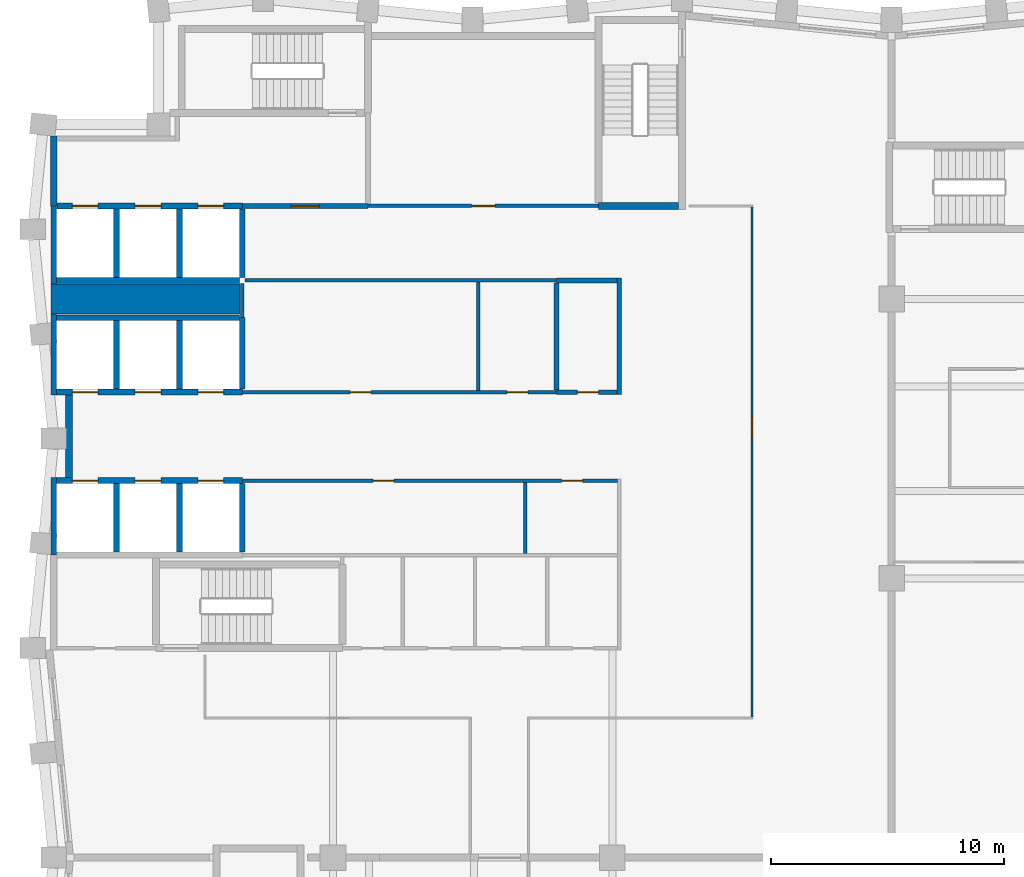
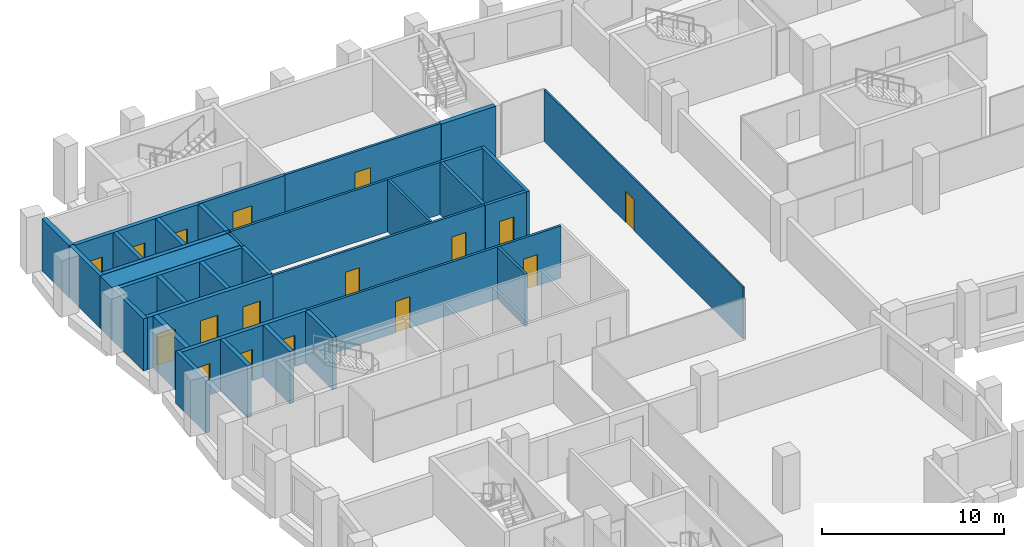
# One storey, part 5 of 10: 34 walls, 17 doors, 17 openings.
"""IFC4 building model written with IfcOpenShell, lengths in metres."""

from ifc_helpers import new_model, si_unit, direction, frame, frame_2d, origin, place, context, subcontext, project, spatial, rectangle, extrude, material, layer, layer_set, type_object, element, fill, save


model = new_model("IFC4")

# Units and contexts
model_context = context("Model", 3, precision=1e-05, world=origin(), true_north=direction((0.0, 1.0)))
body_context = subcontext(model_context, "Body", "Model", "MODEL_VIEW")
ifc_project = project(units=[si_unit("LENGTHUNIT", "METRE"), si_unit("AREAUNIT", "SQUARE_METRE"), si_unit("VOLUMEUNIT", "CUBIC_METRE"), si_unit("PLANEANGLEUNIT", "RADIAN"), si_unit("MASSUNIT", "GRAM", prefix="KILO")], contexts=[model_context])

# Site, building, storey
site_placement = place(None, origin())
site = spatial("IfcSite", under=ifc_project, at=site_placement, CompositionType="ELEMENT")
building_placement = place(site_placement, origin())
building = spatial("IfcBuilding", under=site, at=building_placement, Name="Brondeck Convention Tower", CompositionType="ELEMENT")
storey_placement = place(building_placement, frame((0.0, 0.0, 181.39990234375)))
storey = spatial("IfcBuildingStorey", under=building, at=storey_placement, Name="L44", CompositionType="ELEMENT", Elevation=181.39990234375)

# Walls
ifc_material_1 = material(Name="Concrete C70/85", Category="concrete")
ifc_layer_1 = layer(ifc_material_1, 0.199951171875)
ifc_layer_set_1 = layer_set([ifc_layer_1], Name="Core beam-seat wall 200 Concrete C70/85")
wall_type_1 = type_object("IfcWallType", Name="Core beam-seat wall 200 Concrete C70/85", PredefinedType="SHEAR", material=ifc_layer_set_1)
wall_1_placement = place(storey_placement, frame((24.300048828125, 46.89990234375, 0.0), z_axis=(0.0, 0.0, 1.0), x_axis=(0.0, 1.0, 0.0)))
element("IfcWall", 1, at=wall_1_placement, inside=storey, type_object=wall_type_1, Name="L44 core wall", PredefinedType="SHEAR", context=body_context, shape_type="SweptSolid", body=[
    extrude(rectangle(XDim=5.0, YDim=0.199951171875, at=frame_2d((2.5, 0.0))), origin(), (0.0, 0.0, 1.0), 3.5),
])
ifc_layer_2 = layer(ifc_material_1, 0.300048828125)
ifc_layer_set_2 = layer_set([ifc_layer_2], Name="Core outer wall 300 Concrete C70/85")
wall_type_2 = type_object("IfcWallType", Name="Core outer wall 300 Concrete C70/85", PredefinedType="SHEAR", material=ifc_layer_set_2)
wall_2_placement = place(storey_placement, frame((0.0, 55.0, 0.0), z_axis=(0.0, 0.0, 1.0), x_axis=(0.0, 1.0, 0.0)))
element("IfcWall", 2, at=wall_2_placement, inside=storey, type_object=wall_type_2, Name="L44 core wall", PredefinedType="SHEAR", context=body_context, shape_type="SweptSolid", body=[
    extrude(rectangle(XDim=3.0, YDim=0.300048828125, at=frame_2d((1.5, 0.0))), origin(), (0.0, 0.0, 1.0), 3.5),
])
wall_3_placement = place(storey_placement, frame((0.64990234375, 43.324951171875, 0.0), z_axis=(0.0, 0.0, 1.0), x_axis=(0.0, 1.0, 0.0)))
element("IfcWall", 3, at=wall_3_placement, inside=storey, type_object=wall_type_2, Name="L44 core wall", PredefinedType="SHEAR", context=body_context, shape_type="SweptSolid", body=[
    extrude(rectangle(XDim=3.550048828125, YDim=0.300048828125, at=frame_2d((1.77490234375, 0.0))), origin(), (0.0, 0.0, 1.0), 3.5),
])

# Wall, openings, doors
ifc_material_2 = material(Name="Fire-rated gypsum board partition")
ifc_layer_3 = layer(ifc_material_2, 0.14990234375)
ifc_layer_set_3 = layer_set([ifc_layer_3], Name="Core partition 150 EI 60")
wall_type_3 = type_object("IfcWallType", Name="Core partition 150 EI 60", PredefinedType="PARTITIONING", material=ifc_layer_set_3)
wall_4_placement = place(storey_placement, frame((8.10009765625, 43.199951171875, 0.0), z_axis=(0.0, 0.0, 1.0), x_axis=(1.0, 0.0, 0.0)))
wall_4 = element("IfcWall", 4, at=wall_4_placement, inside=storey, type_object=wall_type_3, Name="L44 core wall", PredefinedType="PARTITIONING", context=body_context, shape_type="SweptSolid", body=[
    extrude(rectangle(XDim=16.125, YDim=0.14990234375, at=frame_2d((8.0625, 0.0))), origin(), (0.0, 0.0, 1.0), 3.5),
])
opening_1_placement = place(wall_4_placement, frame((5.625, 0.0, 0.0)))
opening_1 = element("IfcOpeningElement", 5, at=opening_1_placement, cuts=wall_4, Name="Opening C24-10", PredefinedType="OPENING", context=body_context, shape_type="SweptSolid", body=[
    extrude(rectangle(XDim=0.89990234375, YDim=2.10009765625, at=frame_2d((0.449951171875, 1.050048828125))), frame((0.0, 0.0849609375, 0.0), z_axis=(0.0, -1.0, 0.0), x_axis=(1.0, 0.0, 0.0)), (0.0, 0.0, 1.0), 0.169921875),
])
opening_2_placement = place(wall_4_placement, frame((13.72509765625, 0.0, 0.0)))
opening_2 = element("IfcOpeningElement", 6, at=opening_2_placement, cuts=wall_4, Name="Opening C24-11", PredefinedType="OPENING", context=body_context, shape_type="SweptSolid", body=[
    extrude(rectangle(XDim=0.89990234375, YDim=2.10009765625, at=frame_2d((0.449951171875, 1.050048828125))), frame((0.0, 0.0849609375, 0.0), z_axis=(0.0, -1.0, 0.0), x_axis=(1.0, 0.0, 0.0)), (0.0, 0.0, 1.0), 0.169921875),
])
ifc_material_3 = material(Name="Steel fire door", Category="steel")
door_type_1 = type_object("IfcDoorType", Name="Room door 900x2100 EI 60", OperationType="NOTDEFINED", PredefinedType="DOOR", material=ifc_material_3)
door_1_placement = place(opening_1_placement, origin())
door_1 = element("IfcDoor", 7, at=door_1_placement, inside=storey, type_object=door_type_1, Name="L44 Room door FZ-S-8.1-1", OperationType="SINGLE_SWING_RIGHT", OverallHeight=2.10009765625, OverallWidth=0.89990234375, PredefinedType="DOOR", context=body_context, shape_type="SweptSolid", body=[
    extrude(rectangle(XDim=0.89990234375, YDim=2.10009765625, at=frame_2d((0.449951171875, 1.050048828125))), frame((0.0, 0.02490234375, 0.0), z_axis=(0.0, -1.0, 0.0), x_axis=(1.0, 0.0, 0.0)), (0.0, 0.0, 1.0), 0.050048828125),
])
fill(opening_1, door_1)
door_2_placement = place(opening_2_placement, origin())
door_2 = element("IfcDoor", 8, at=door_2_placement, inside=storey, type_object=door_type_1, Name="L44 Room door FZ-S-8.1-2", OperationType="SINGLE_SWING_LEFT", OverallHeight=2.10009765625, OverallWidth=0.89990234375, PredefinedType="DOOR", context=body_context, shape_type="SweptSolid", body=[
    extrude(rectangle(XDim=0.89990234375, YDim=2.10009765625, at=frame_2d((0.449951171875, 1.050048828125))), frame((0.0, 0.02490234375, 0.0), z_axis=(0.0, -1.0, 0.0), x_axis=(1.0, 0.0, 0.0)), (0.0, 0.0, 1.0), 0.050048828125),
])
fill(opening_2, door_2)

wall_5_placement = place(storey_placement, frame((8.10009765625, 47.0, 0.0), z_axis=(0.0, 0.0, 1.0), x_axis=(1.0, 0.0, 0.0)))
wall_5 = element("IfcWall", 9, at=wall_5_placement, inside=storey, type_object=wall_type_3, Name="L44 core wall", PredefinedType="PARTITIONING", context=body_context, shape_type="SweptSolid", body=[
    extrude(rectangle(XDim=13.5, YDim=0.14990234375, at=frame_2d((6.75, 0.0))), origin(), (0.0, 0.0, 1.0), 3.5),
])
opening_3_placement = place(wall_5_placement, frame((4.625, 0.0, 0.0)))
opening_3 = element("IfcOpeningElement", 10, at=opening_3_placement, cuts=wall_5, Name="Opening C24-08", PredefinedType="OPENING", context=body_context, shape_type="SweptSolid", body=[
    extrude(rectangle(XDim=0.89990234375, YDim=2.10009765625, at=frame_2d((0.449951171875, 1.050048828125))), frame((0.0, 0.0849609375, 0.0), z_axis=(0.0, -1.0, 0.0), x_axis=(1.0, 0.0, 0.0)), (0.0, 0.0, 1.0), 0.169921875),
])
opening_4_placement = place(wall_5_placement, frame((11.375, 0.0, 0.0)))
opening_4 = element("IfcOpeningElement", 11, at=opening_4_placement, cuts=wall_5, Name="Opening C24-09", PredefinedType="OPENING", context=body_context, shape_type="SweptSolid", body=[
    extrude(rectangle(XDim=0.89990234375, YDim=2.10009765625, at=frame_2d((0.449951171875, 1.050048828125))), frame((0.0, 0.0849609375, 0.0), z_axis=(0.0, -1.0, 0.0), x_axis=(1.0, 0.0, 0.0)), (0.0, 0.0, 1.0), 0.169921875),
])
door_3_placement = place(opening_3_placement, origin())
door_3 = element("IfcDoor", 12, at=door_3_placement, inside=storey, type_object=door_type_1, Name="L44 Room door FZ-N-8.1-1", OperationType="SINGLE_SWING_LEFT", OverallHeight=2.10009765625, OverallWidth=0.89990234375, PredefinedType="DOOR", context=body_context, shape_type="SweptSolid", body=[
    extrude(rectangle(XDim=0.89990234375, YDim=2.10009765625, at=frame_2d((0.449951171875, 1.050048828125))), frame((0.0, 0.02490234375, 0.0), z_axis=(0.0, -1.0, 0.0), x_axis=(1.0, 0.0, 0.0)), (0.0, 0.0, 1.0), 0.050048828125),
])
fill(opening_3, door_3)
door_4_placement = place(opening_4_placement, origin())
door_4 = element("IfcDoor", 13, at=door_4_placement, inside=storey, type_object=door_type_1, Name="L44 Room door FZ-N-8.1-2", OperationType="SINGLE_SWING_RIGHT", OverallHeight=2.10009765625, OverallWidth=0.89990234375, PredefinedType="DOOR", context=body_context, shape_type="SweptSolid", body=[
    extrude(rectangle(XDim=0.89990234375, YDim=2.10009765625, at=frame_2d((0.449951171875, 1.050048828125))), frame((0.0, 0.02490234375, 0.0), z_axis=(0.0, -1.0, 0.0), x_axis=(1.0, 0.0, 0.0)), (0.0, 0.0, 1.0), 0.050048828125),
])
fill(opening_4, door_4)

# Wall
wall_6_placement = place(storey_placement, frame((8.22509765625, 51.800048828125, 0.0), z_axis=(0.0, 0.0, 1.0), x_axis=(1.0, 0.0, 0.0)))
element("IfcWall", 14, at=wall_6_placement, inside=storey, type_object=wall_type_3, Name="L44 core wall", PredefinedType="PARTITIONING", context=body_context, shape_type="SweptSolid", body=[
    extrude(rectangle(XDim=13.375, YDim=0.14990234375, at=frame_2d((6.6875, 0.0))), origin(), (0.0, 0.0, 1.0), 3.5),
])

# Wall, opening, door
wall_7_placement = place(storey_placement, frame((13.5, 55.0, 0.0), z_axis=(0.0, 0.0, 1.0), x_axis=(1.0, 0.0, 0.0)))
wall_7 = element("IfcWall", 15, at=wall_7_placement, inside=storey, type_object=wall_type_3, Name="L44 core wall", PredefinedType="PARTITIONING", context=body_context, shape_type="SweptSolid", body=[
    extrude(rectangle(XDim=9.89990234375, YDim=0.14990234375, at=frame_2d((4.949951171875, 0.0))), origin(), (0.0, 0.0, 1.0), 3.5),
])
opening_5_placement = place(wall_7_placement, frame((4.449951171875, 0.0, 0.0)))
opening_5 = element("IfcOpeningElement", 16, at=opening_5_placement, cuts=wall_7, Name="Opening C24-12", PredefinedType="OPENING", context=body_context, shape_type="SweptSolid", body=[
    extrude(rectangle(XDim=1.0, YDim=2.10009765625, at=frame_2d((0.5, 1.050048828125))), frame((0.0, 0.0849609375, 0.0), z_axis=(0.0, -1.0, 0.0), x_axis=(1.0, 0.0, 0.0)), (0.0, 0.0, 1.0), 0.169921875),
])
door_type_2 = type_object("IfcDoorType", Name="Room door 1000x2100 EI 60", OperationType="NOTDEFINED", PredefinedType="DOOR", material=ifc_material_3)
door_5_placement = place(opening_5_placement, origin())
door_5 = element("IfcDoor", 17, at=door_5_placement, inside=storey, type_object=door_type_2, Name="L44 Room door NE-1", OperationType="SINGLE_SWING_LEFT", OverallHeight=2.10009765625, OverallWidth=1.0, PredefinedType="DOOR", context=body_context, shape_type="SweptSolid", body=[
    extrude(rectangle(XDim=1.0, YDim=2.10009765625, at=frame_2d((0.5, 1.050048828125))), frame((0.0, 0.02490234375, 0.0), z_axis=(0.0, -1.0, 0.0), x_axis=(1.0, 0.0, 0.0)), (0.0, 0.0, 1.0), 0.050048828125),
])
fill(opening_5, door_5)

# Walls
wall_8_placement = place(storey_placement, frame((8.10009765625, 50.199951171875, 0.0), z_axis=(0.0, 0.0, 1.0), x_axis=(0.0, 1.0, 0.0)))
element("IfcWall", 18, at=wall_8_placement, inside=storey, type_object=wall_type_3, Name="L44 core wall", PredefinedType="PARTITIONING", context=body_context, shape_type="SweptSolid", body=[
    extrude(rectangle(XDim=1.47509765625, YDim=0.14990234375, at=frame_2d((0.737548828125, 0.0))), origin(), (0.0, 0.0, 1.0), 3.5),
])
wall_9_placement = place(storey_placement, frame((18.25, 47.074951171875, 0.0), z_axis=(0.0, 0.0, 1.0), x_axis=(0.0, 1.0, 0.0)))
element("IfcWall", 19, at=wall_9_placement, inside=storey, type_object=wall_type_3, Name="L44 core wall", PredefinedType="PARTITIONING", context=body_context, shape_type="SweptSolid", body=[
    extrude(rectangle(XDim=4.650146484375, YDim=0.14990234375, at=frame_2d((2.3251953125, 0.0))), origin(), (0.0, 0.0, 1.0), 3.5),
])
wall_10_placement = place(storey_placement, frame((20.25, 40.074951171875, 0.0), z_axis=(0.0, 0.0, 1.0), x_axis=(0.0, 1.0, 0.0)))
element("IfcWall", 20, at=wall_10_placement, inside=storey, type_object=wall_type_3, Name="L44 core wall", PredefinedType="PARTITIONING", context=body_context, shape_type="SweptSolid", body=[
    extrude(rectangle(XDim=3.050048828125, YDim=0.14990234375, at=frame_2d((1.52490234375, 0.0))), origin(), (0.0, 0.0, 1.0), 3.5),
])
ifc_layer_4 = layer(ifc_material_1, 1.300048828125)
ifc_layer_set_4 = layer_set([ifc_layer_4], Name="Core shear wall 1300 Concrete C70/85")
wall_type_4 = type_object("IfcWallType", Name="Core shear wall 1300 Concrete C70/85", PredefinedType="SHEAR", material=ifc_layer_set_4)
wall_11_placement = place(storey_placement, frame((-0.125, 51.0, 0.0), z_axis=(0.0, 0.0, 1.0), x_axis=(1.0, 0.0, 0.0)))
element("IfcWall", 21, at=wall_11_placement, inside=storey, type_object=wall_type_4, Name="L44 core wall", PredefinedType="SHEAR", context=body_context, shape_type="SweptSolid", body=[
    extrude(rectangle(XDim=8.125, YDim=1.300048828125, at=frame_2d((4.0625, 0.0))), origin(), (0.0, 0.0, 1.0), 3.5),
])

# Wall, opening, door
ifc_layer_5 = layer(ifc_material_2, 0.199951171875)
ifc_layer_set_5 = layer_set([ifc_layer_5], Name="Firefighting lobby wall 200 EI 120")
wall_type_5 = type_object("IfcWallType", Name="Firefighting lobby wall 200 EI 120", PredefinedType="PARTITIONING", material=ifc_layer_set_5)
wall_12_placement = place(storey_placement, frame((8.10009765625, 55.0, 0.0), z_axis=(0.0, 0.0, 1.0), x_axis=(1.0, 0.0, 0.0)))
wall_12 = element("IfcWall", 22, at=wall_12_placement, inside=storey, type_object=wall_type_5, Name="L44 core wall", PredefinedType="PARTITIONING", context=body_context, shape_type="SweptSolid", body=[
    extrude(rectangle(XDim=5.39990234375, YDim=0.199951171875, at=frame_2d((2.699951171875, 0.0))), origin(), (0.0, 0.0, 1.0), 3.5),
])
opening_6_placement = place(wall_12_placement, frame((2.10009765625, 0.0, 0.0)))
opening_6 = element("IfcOpeningElement", 23, at=opening_6_placement, cuts=wall_12, Name="Opening C24-01", PredefinedType="OPENING", context=body_context, shape_type="SweptSolid", body=[
    extrude(rectangle(XDim=1.199951171875, YDim=2.199951171875, at=frame_2d((0.60009765625, 1.10009765625))), frame((0.0, 0.10986328125, 0.0), z_axis=(0.0, -1.0, 0.0), x_axis=(1.0, 0.0, 0.0)), (0.0, 0.0, 1.0), 0.219970703125),
])
door_type_3 = type_object("IfcDoorType", Name="Firefighting lobby door 1200x2200 EI 120", OperationType="NOTDEFINED", PredefinedType="DOOR", material=ifc_material_3)
door_6_placement = place(opening_6_placement, origin())
door_6 = element("IfcDoor", 24, at=door_6_placement, inside=storey, type_object=door_type_3, Name="L44 Firefighting lobby door FFL-1", OperationType="SINGLE_SWING_RIGHT", OverallHeight=2.199951171875, OverallWidth=1.199951171875, PredefinedType="DOOR", context=body_context, shape_type="SweptSolid", body=[
    extrude(rectangle(XDim=1.199951171875, YDim=2.199951171875, at=frame_2d((0.60009765625, 1.10009765625))), frame((0.0, 0.02490234375, 0.0), z_axis=(0.0, -1.0, 0.0), x_axis=(1.0, 0.0, 0.0)), (0.0, 0.0, 1.0), 0.050048828125),
])
fill(opening_6, door_6)

# Wall, openings, doors
ifc_layer_6 = layer(ifc_material_1, 0.25)
ifc_layer_set_6 = layer_set([ifc_layer_6], Name="Lift shaft wall 250 Concrete C70/85")
wall_type_6 = type_object("IfcWallType", Name="Lift shaft wall 250 Concrete C70/85", PredefinedType="SHEAR", material=ifc_layer_set_6)
wall_13_placement = place(storey_placement, frame((0.125, 43.199951171875, 0.0), z_axis=(0.0, 0.0, 1.0), x_axis=(1.0, 0.0, 0.0)))
wall_13 = element("IfcWall", 25, at=wall_13_placement, inside=storey, type_object=wall_type_6, Name="L44 core wall", PredefinedType="SHEAR", context=body_context, shape_type="SweptSolid", body=[
    extrude(rectangle(XDim=7.97509765625, YDim=0.25, at=frame_2d((3.987548828125, 0.0))), origin(), (0.0, 0.0, 1.0), 3.5),
])
opening_7_placement = place(wall_13_placement, frame((0.675048828125, 0.0, 0.0)))
opening_7 = element("IfcOpeningElement", 26, at=opening_7_placement, cuts=wall_13, Name="Opening C24-23", PredefinedType="OPENING", context=body_context, shape_type="SweptSolid", body=[
    extrude(rectangle(XDim=1.10009765625, YDim=2.10009765625, at=frame_2d((0.550048828125, 1.050048828125))), frame((0.0, 0.135009765625, 0.0), z_axis=(0.0, -1.0, 0.0), x_axis=(1.0, 0.0, 0.0)), (0.0, 0.0, 1.0), 0.27001953125),
])
opening_8_placement = place(wall_13_placement, frame((3.375, 0.0, 0.0)))
opening_8 = element("IfcOpeningElement", 27, at=opening_8_placement, cuts=wall_13, Name="Opening C24-24", PredefinedType="OPENING", context=body_context, shape_type="SweptSolid", body=[
    extrude(rectangle(XDim=1.10009765625, YDim=2.10009765625, at=frame_2d((0.550048828125, 1.050048828125))), frame((0.0, 0.135009765625, 0.0), z_axis=(0.0, -1.0, 0.0), x_axis=(1.0, 0.0, 0.0)), (0.0, 0.0, 1.0), 0.27001953125),
])
opening_9_placement = place(wall_13_placement, frame((6.074951171875, 0.0, 0.0)))
opening_9 = element("IfcOpeningElement", 28, at=opening_9_placement, cuts=wall_13, Name="Opening C24-25", PredefinedType="OPENING", context=body_context, shape_type="SweptSolid", body=[
    extrude(rectangle(XDim=1.10009765625, YDim=2.10009765625, at=frame_2d((0.550048828125, 1.050048828125))), frame((0.0, 0.135009765625, 0.0), z_axis=(0.0, -1.0, 0.0), x_axis=(1.0, 0.0, 0.0)), (0.0, 0.0, 1.0), 0.27001953125),
])
ifc_material_4 = material(Name="Stainless steel lift door", Category="steel")
door_type_4 = type_object("IfcDoorType", Name="Lift landing door 1100x2100 EI 180", OperationType="DOUBLE_DOOR_SLIDING", PredefinedType="DOOR", material=ifc_material_4)
door_7_placement = place(opening_7_placement, origin())
door_7 = element("IfcDoor", 29, at=door_7_placement, inside=storey, type_object=door_type_4, Name="L44 Lift landing door HR1", OperationType="DOUBLE_DOOR_SLIDING", OverallHeight=2.10009765625, OverallWidth=1.10009765625, PredefinedType="DOOR", context=body_context, shape_type="SweptSolid", body=[
    extrude(rectangle(XDim=1.10009765625, YDim=2.10009765625, at=frame_2d((0.550048828125, 1.050048828125))), frame((0.0, 0.02490234375, 0.0), z_axis=(0.0, -1.0, 0.0), x_axis=(1.0, 0.0, 0.0)), (0.0, 0.0, 1.0), 0.050048828125),
])
fill(opening_7, door_7)
door_8_placement = place(opening_8_placement, origin())
door_8 = element("IfcDoor", 30, at=door_8_placement, inside=storey, type_object=door_type_4, Name="L44 Lift landing door HR2", OperationType="DOUBLE_DOOR_SLIDING", OverallHeight=2.10009765625, OverallWidth=1.10009765625, PredefinedType="DOOR", context=body_context, shape_type="SweptSolid", body=[
    extrude(rectangle(XDim=1.10009765625, YDim=2.10009765625, at=frame_2d((0.550048828125, 1.050048828125))), frame((0.0, 0.02490234375, 0.0), z_axis=(0.0, -1.0, 0.0), x_axis=(1.0, 0.0, 0.0)), (0.0, 0.0, 1.0), 0.050048828125),
])
fill(opening_8, door_8)
door_9_placement = place(opening_9_placement, origin())
door_9 = element("IfcDoor", 31, at=door_9_placement, inside=storey, type_object=door_type_4, Name="L44 Lift landing door HR3", OperationType="DOUBLE_DOOR_SLIDING", OverallHeight=2.10009765625, OverallWidth=1.10009765625, PredefinedType="DOOR", context=body_context, shape_type="SweptSolid", body=[
    extrude(rectangle(XDim=1.10009765625, YDim=2.10009765625, at=frame_2d((0.550048828125, 1.050048828125))), frame((0.0, 0.02490234375, 0.0), z_axis=(0.0, -1.0, 0.0), x_axis=(1.0, 0.0, 0.0)), (0.0, 0.0, 1.0), 0.050048828125),
])
fill(opening_9, door_9)

wall_14_placement = place(storey_placement, frame((0.125, 47.0, 0.0), z_axis=(0.0, 0.0, 1.0), x_axis=(1.0, 0.0, 0.0)))
wall_14 = element("IfcWall", 32, at=wall_14_placement, inside=storey, type_object=wall_type_6, Name="L44 core wall", PredefinedType="SHEAR", context=body_context, shape_type="SweptSolid", body=[
    extrude(rectangle(XDim=7.97509765625, YDim=0.25, at=frame_2d((3.987548828125, 0.0))), origin(), (0.0, 0.0, 1.0), 3.5),
])
opening_10_placement = place(wall_14_placement, frame((0.675048828125, 0.0, 0.0)))
opening_10 = element("IfcOpeningElement", 33, at=opening_10_placement, cuts=wall_14, Name="Opening C24-26", PredefinedType="OPENING", context=body_context, shape_type="SweptSolid", body=[
    extrude(rectangle(XDim=1.10009765625, YDim=2.10009765625, at=frame_2d((0.550048828125, 1.050048828125))), frame((0.0, 0.135009765625, 0.0), z_axis=(0.0, -1.0, 0.0), x_axis=(1.0, 0.0, 0.0)), (0.0, 0.0, 1.0), 0.27001953125),
])
opening_11_placement = place(wall_14_placement, frame((3.375, 0.0, 0.0)))
opening_11 = element("IfcOpeningElement", 34, at=opening_11_placement, cuts=wall_14, Name="Opening C24-27", PredefinedType="OPENING", context=body_context, shape_type="SweptSolid", body=[
    extrude(rectangle(XDim=1.10009765625, YDim=2.10009765625, at=frame_2d((0.550048828125, 1.050048828125))), frame((0.0, 0.135009765625, 0.0), z_axis=(0.0, -1.0, 0.0), x_axis=(1.0, 0.0, 0.0)), (0.0, 0.0, 1.0), 0.27001953125),
])
opening_12_placement = place(wall_14_placement, frame((6.074951171875, 0.0, 0.0)))
opening_12 = element("IfcOpeningElement", 35, at=opening_12_placement, cuts=wall_14, Name="Opening C24-28", PredefinedType="OPENING", context=body_context, shape_type="SweptSolid", body=[
    extrude(rectangle(XDim=1.10009765625, YDim=2.10009765625, at=frame_2d((0.550048828125, 1.050048828125))), frame((0.0, 0.135009765625, 0.0), z_axis=(0.0, -1.0, 0.0), x_axis=(1.0, 0.0, 0.0)), (0.0, 0.0, 1.0), 0.27001953125),
])
door_10_placement = place(opening_10_placement, origin())
door_10 = element("IfcDoor", 36, at=door_10_placement, inside=storey, type_object=door_type_4, Name="L44 Lift landing door HR4", OperationType="DOUBLE_DOOR_SLIDING", OverallHeight=2.10009765625, OverallWidth=1.10009765625, PredefinedType="DOOR", context=body_context, shape_type="SweptSolid", body=[
    extrude(rectangle(XDim=1.10009765625, YDim=2.10009765625, at=frame_2d((0.550048828125, 1.050048828125))), frame((0.0, 0.02490234375, 0.0), z_axis=(0.0, -1.0, 0.0), x_axis=(1.0, 0.0, 0.0)), (0.0, 0.0, 1.0), 0.050048828125),
])
fill(opening_10, door_10)
door_11_placement = place(opening_11_placement, origin())
door_11 = element("IfcDoor", 37, at=door_11_placement, inside=storey, type_object=door_type_4, Name="L44 Lift landing door HR5", OperationType="DOUBLE_DOOR_SLIDING", OverallHeight=2.10009765625, OverallWidth=1.10009765625, PredefinedType="DOOR", context=body_context, shape_type="SweptSolid", body=[
    extrude(rectangle(XDim=1.10009765625, YDim=2.10009765625, at=frame_2d((0.550048828125, 1.050048828125))), frame((0.0, 0.02490234375, 0.0), z_axis=(0.0, -1.0, 0.0), x_axis=(1.0, 0.0, 0.0)), (0.0, 0.0, 1.0), 0.050048828125),
])
fill(opening_11, door_11)
door_12_placement = place(opening_12_placement, origin())
door_12 = element("IfcDoor", 38, at=door_12_placement, inside=storey, type_object=door_type_4, Name="L44 Lift landing door HR6", OperationType="DOUBLE_DOOR_SLIDING", OverallHeight=2.10009765625, OverallWidth=1.10009765625, PredefinedType="DOOR", context=body_context, shape_type="SweptSolid", body=[
    extrude(rectangle(XDim=1.10009765625, YDim=2.10009765625, at=frame_2d((0.550048828125, 1.050048828125))), frame((0.0, 0.02490234375, 0.0), z_axis=(0.0, -1.0, 0.0), x_axis=(1.0, 0.0, 0.0)), (0.0, 0.0, 1.0), 0.050048828125),
])
fill(opening_12, door_12)

# Walls
for number, where, z_axis, x_axis, name in (
    (39, (0.125, 50.199951171875, 0.0), (0.0, 0.0, 1.0), (1.0, 0.0, 0.0), "L44 core wall"),
    (40, (0.125, 51.800048828125, 0.0), (0.0, 0.0, 1.0), (1.0, 0.0, 0.0), "L44 core wall"),
):
    element("IfcWall", number, at=place(storey_placement, frame(where, z_axis=z_axis, x_axis=x_axis)), inside=storey, type_object=wall_type_6, Name=name, PredefinedType="SHEAR", context=body_context, shape_type="SweptSolid", body=[
        extrude(rectangle(XDim=7.85009765625, YDim=0.25, at=frame_2d((3.925048828125, 0.0))), origin(), (0.0, 0.0, 1.0), 3.5),
    ])

# Wall, openings, doors
wall_15_placement = place(storey_placement, frame((0.14990234375, 55.0, 0.0), z_axis=(0.0, 0.0, 1.0), x_axis=(1.0, 0.0, 0.0)))
wall_15 = element("IfcWall", 41, at=wall_15_placement, inside=storey, type_object=wall_type_6, Name="L44 core wall", PredefinedType="SHEAR", context=body_context, shape_type="SweptSolid", body=[
    extrude(rectangle(XDim=7.9501953125, YDim=0.25, at=frame_2d((3.97509765625, 0.0))), origin(), (0.0, 0.0, 1.0), 3.5),
])
opening_13_placement = place(wall_15_placement, frame((0.64990234375, 0.0, 0.0)))
opening_13 = element("IfcOpeningElement", 42, at=opening_13_placement, cuts=wall_15, Name="Opening C24-20", PredefinedType="OPENING", context=body_context, shape_type="SweptSolid", body=[
    extrude(rectangle(XDim=1.10009765625, YDim=2.10009765625, at=frame_2d((0.550048828125, 1.050048828125))), frame((0.0, 0.135009765625, 0.0), z_axis=(0.0, -1.0, 0.0), x_axis=(1.0, 0.0, 0.0)), (0.0, 0.0, 1.0), 0.27001953125),
])
opening_14_placement = place(wall_15_placement, frame((3.35009765625, 0.0, 0.0)))
opening_14 = element("IfcOpeningElement", 43, at=opening_14_placement, cuts=wall_15, Name="Opening C24-21", PredefinedType="OPENING", context=body_context, shape_type="SweptSolid", body=[
    extrude(rectangle(XDim=1.10009765625, YDim=2.10009765625, at=frame_2d((0.550048828125, 1.050048828125))), frame((0.0, 0.135009765625, 0.0), z_axis=(0.0, -1.0, 0.0), x_axis=(1.0, 0.0, 0.0)), (0.0, 0.0, 1.0), 0.27001953125),
])
opening_15_placement = place(wall_15_placement, frame((6.050048828125, 0.0, 0.0)))
opening_15 = element("IfcOpeningElement", 44, at=opening_15_placement, cuts=wall_15, Name="Opening C24-22", PredefinedType="OPENING", context=body_context, shape_type="SweptSolid", body=[
    extrude(rectangle(XDim=1.10009765625, YDim=2.10009765625, at=frame_2d((0.550048828125, 1.050048828125))), frame((0.0, 0.135009765625, 0.0), z_axis=(0.0, -1.0, 0.0), x_axis=(1.0, 0.0, 0.0)), (0.0, 0.0, 1.0), 0.27001953125),
])
door_13_placement = place(opening_13_placement, origin())
door_13 = element("IfcDoor", 45, at=door_13_placement, inside=storey, type_object=door_type_4, Name="L44 Lift landing door FF1", OperationType="DOUBLE_DOOR_SLIDING", OverallHeight=2.10009765625, OverallWidth=1.10009765625, PredefinedType="DOOR", context=body_context, shape_type="SweptSolid", body=[
    extrude(rectangle(XDim=1.10009765625, YDim=2.10009765625, at=frame_2d((0.550048828125, 1.050048828125))), frame((0.0, 0.02490234375, 0.0), z_axis=(0.0, -1.0, 0.0), x_axis=(1.0, 0.0, 0.0)), (0.0, 0.0, 1.0), 0.050048828125),
])
fill(opening_13, door_13)
door_14_placement = place(opening_14_placement, origin())
door_14 = element("IfcDoor", 46, at=door_14_placement, inside=storey, type_object=door_type_4, Name="L44 Lift landing door FF2", OperationType="DOUBLE_DOOR_SLIDING", OverallHeight=2.10009765625, OverallWidth=1.10009765625, PredefinedType="DOOR", context=body_context, shape_type="SweptSolid", body=[
    extrude(rectangle(XDim=1.10009765625, YDim=2.10009765625, at=frame_2d((0.550048828125, 1.050048828125))), frame((0.0, 0.02490234375, 0.0), z_axis=(0.0, -1.0, 0.0), x_axis=(1.0, 0.0, 0.0)), (0.0, 0.0, 1.0), 0.050048828125),
])
fill(opening_14, door_14)
door_15_placement = place(opening_15_placement, origin())
door_15 = element("IfcDoor", 47, at=door_15_placement, inside=storey, type_object=door_type_4, Name="L44 Lift landing door FF3", OperationType="DOUBLE_DOOR_SLIDING", OverallHeight=2.10009765625, OverallWidth=1.10009765625, PredefinedType="DOOR", context=body_context, shape_type="SweptSolid", body=[
    extrude(rectangle(XDim=1.10009765625, YDim=2.10009765625, at=frame_2d((0.550048828125, 1.050048828125))), frame((0.0, 0.02490234375, 0.0), z_axis=(0.0, -1.0, 0.0), x_axis=(1.0, 0.0, 0.0)), (0.0, 0.0, 1.0), 0.050048828125),
])
fill(opening_15, door_15)

# Walls
wall_16_placement = place(storey_placement, frame((0.0, 40.0, 0.0), z_axis=(0.0, 0.0, 1.0), x_axis=(0.0, 1.0, 0.0)))
element("IfcWall", 48, at=wall_16_placement, inside=storey, type_object=wall_type_6, Name="L44 core wall", PredefinedType="SHEAR", context=body_context, shape_type="SweptSolid", body=[
    extrude(rectangle(XDim=3.324951171875, YDim=0.25, at=frame_2d((1.66259765625, 0.0))), origin(), (0.0, 0.0, 1.0), 3.5),
])
wall_17_placement = place(storey_placement, frame((0.0, 46.875, 0.0), z_axis=(0.0, 0.0, 1.0), x_axis=(0.0, 1.0, 0.0)))
element("IfcWall", 49, at=wall_17_placement, inside=storey, type_object=wall_type_6, Name="L44 core wall", PredefinedType="SHEAR", context=body_context, shape_type="SweptSolid", body=[
    extrude(rectangle(XDim=3.47509765625, YDim=0.25, at=frame_2d((1.737548828125, 0.0))), origin(), (0.0, 0.0, 1.0), 3.5),
])
wall_18_placement = place(storey_placement, frame((0.0, 51.64990234375, 0.0), z_axis=(0.0, 0.0, 1.0), x_axis=(0.0, 1.0, 0.0)))
element("IfcWall", 50, at=wall_18_placement, inside=storey, type_object=wall_type_6, Name="L44 core wall", PredefinedType="SHEAR", context=body_context, shape_type="SweptSolid", body=[
    extrude(rectangle(XDim=3.35009765625, YDim=0.25, at=frame_2d((1.675048828125, 0.0))), origin(), (0.0, 0.0, 1.0), 3.5),
])
for number, where, z_axis, x_axis, name in (
    (51, (2.699951171875, 40.125, 0.0), (0.0, 0.0, 1.0), (0.0, 1.0, 0.0), "L44 core wall"),
    (52, (2.699951171875, 47.125, 0.0), (0.0, 0.0, 1.0), (0.0, 1.0, 0.0), "L44 core wall"),
    (53, (2.699951171875, 51.925048828125, 0.0), (0.0, 0.0, 1.0), (0.0, 1.0, 0.0), "L44 core wall"),
    (54, (5.39990234375, 40.125, 0.0), (0.0, 0.0, 1.0), (0.0, 1.0, 0.0), "L44 core wall"),
    (55, (5.39990234375, 47.125, 0.0), (0.0, 0.0, 1.0), (0.0, 1.0, 0.0), "L44 core wall"),
    (56, (5.39990234375, 51.925048828125, 0.0), (0.0, 0.0, 1.0), (0.0, 1.0, 0.0), "L44 core wall"),
    (57, (8.10009765625, 40.125, 0.0), (0.0, 0.0, 1.0), (0.0, 1.0, 0.0), "L44 core wall"),
):
    element("IfcWall", number, at=place(storey_placement, frame(where, z_axis=z_axis, x_axis=x_axis)), inside=storey, type_object=wall_type_6, Name=name, PredefinedType="SHEAR", context=body_context, shape_type="SweptSolid", body=[
        extrude(rectangle(XDim=2.949951171875, YDim=0.25, at=frame_2d((1.47509765625, 0.0))), origin(), (0.0, 0.0, 1.0), 3.5),
    ])
wall_19_placement = place(storey_placement, frame((8.10009765625, 47.125, 0.0), z_axis=(0.0, 0.0, 1.0), x_axis=(0.0, 1.0, 0.0)))
element("IfcWall", 58, at=wall_19_placement, inside=storey, type_object=wall_type_6, Name="L44 core wall", PredefinedType="SHEAR", context=body_context, shape_type="SweptSolid", body=[
    extrude(rectangle(XDim=3.074951171875, YDim=0.25, at=frame_2d((1.53759765625, 0.0))), origin(), (0.0, 0.0, 1.0), 3.5),
])
wall_20_placement = place(storey_placement, frame((8.10009765625, 51.925048828125, 0.0), z_axis=(0.0, 0.0, 1.0), x_axis=(0.0, 1.0, 0.0)))
element("IfcWall", 59, at=wall_20_placement, inside=storey, type_object=wall_type_6, Name="L44 core wall", PredefinedType="SHEAR", context=body_context, shape_type="SweptSolid", body=[
    extrude(rectangle(XDim=2.949951171875, YDim=0.25, at=frame_2d((1.47509765625, 0.0))), origin(), (0.0, 0.0, 1.0), 3.5),
])

# Wall, opening, door
ifc_layer_7 = layer(ifc_material_2, 0.199951171875)
ifc_layer_set_7 = layer_set([ifc_layer_7], Name="Riser wall 200 EI 120")
wall_type_7 = type_object("IfcWallType", Name="Riser wall 200 EI 120", PredefinedType="PARTITIONING", material=ifc_layer_set_7)
wall_21_placement = place(storey_placement, frame((21.60009765625, 47.0, 0.0), z_axis=(0.0, 0.0, 1.0), x_axis=(1.0, 0.0, 0.0)))
wall_21 = element("IfcWall", 60, at=wall_21_placement, inside=storey, type_object=wall_type_7, Name="L44 core wall", PredefinedType="PARTITIONING", context=body_context, shape_type="SweptSolid", body=[
    extrude(rectangle(XDim=2.599853515625, YDim=0.199951171875, at=frame_2d((1.2998046875, 0.0))), origin(), (0.0, 0.0, 1.0), 3.5),
])
opening_16_placement = place(wall_21_placement, frame((0.89990234375, 0.0, 0.0)))
opening_16 = element("IfcOpeningElement", 61, at=opening_16_placement, cuts=wall_21, Name="Opening C24-02", PredefinedType="OPENING", context=body_context, shape_type="SweptSolid", body=[
    extrude(rectangle(XDim=0.89990234375, YDim=2.10009765625, at=frame_2d((0.449951171875, 1.050048828125))), frame((0.0, 0.10986328125, 0.0), z_axis=(0.0, -1.0, 0.0), x_axis=(1.0, 0.0, 0.0)), (0.0, 0.0, 1.0), 0.219970703125),
])
door_type_5 = type_object("IfcDoorType", Name="Riser door 900x2100 EI 120", OperationType="NOTDEFINED", PredefinedType="DOOR", material=ifc_material_3)
door_16_placement = place(opening_16_placement, origin())
door_16 = element("IfcDoor", 62, at=door_16_placement, inside=storey, type_object=door_type_5, Name="L44 Riser door EN-1", OperationType="SINGLE_SWING_LEFT", OverallHeight=2.10009765625, OverallWidth=0.89990234375, PredefinedType="DOOR", context=body_context, shape_type="SweptSolid", body=[
    extrude(rectangle(XDim=0.89990234375, YDim=2.10009765625, at=frame_2d((0.449951171875, 1.050048828125))), frame((0.0, 0.02490234375, 0.0), z_axis=(0.0, -1.0, 0.0), x_axis=(1.0, 0.0, 0.0)), (0.0, 0.0, 1.0), 0.050048828125),
])
fill(opening_16, door_16)

# Walls
wall_22_placement = place(storey_placement, frame((21.60009765625, 51.800048828125, 0.0), z_axis=(0.0, 0.0, 1.0), x_axis=(1.0, 0.0, 0.0)))
element("IfcWall", 63, at=wall_22_placement, inside=storey, type_object=wall_type_7, Name="L44 core wall", PredefinedType="PARTITIONING", context=body_context, shape_type="SweptSolid", body=[
    extrude(rectangle(XDim=2.599853515625, YDim=0.199951171875, at=frame_2d((1.2998046875, 0.0))), origin(), (0.0, 0.0, 1.0), 3.5),
])
wall_23_placement = place(storey_placement, frame((21.60009765625, 47.10009765625, 0.0), z_axis=(0.0, 0.0, 1.0), x_axis=(0.0, 1.0, 0.0)))
element("IfcWall", 64, at=wall_23_placement, inside=storey, type_object=wall_type_7, Name="L44 core wall", PredefinedType="PARTITIONING", context=body_context, shape_type="SweptSolid", body=[
    extrude(rectangle(XDim=4.599853515625, YDim=0.199951171875, at=frame_2d((2.2998046875, 0.0))), origin(), (0.0, 0.0, 1.0), 3.5),
])

# Wall, opening, door
ifc_material_5 = material(Name="Gypsum board partition on steel studs", Category="steel")
ifc_layer_8 = layer(ifc_material_5, 0.10009765625)
ifc_layer_set_8 = layer_set([ifc_layer_8], Name="Room partition 100")
wall_type_8 = type_object("IfcWallType", Name="Room partition 100", PredefinedType="PARTITIONING", material=ifc_layer_set_8)
wall_24_placement = place(storey_placement, frame((30.0, 54.949951171875, 0.0), z_axis=(0.0, 0.0, 1.0), x_axis=(0.0, -1.0, 0.0)))
wall_24 = element("IfcWall", 65, at=wall_24_placement, inside=storey, type_object=wall_type_8, Name="FLR-L44-W047", PredefinedType="PARTITIONING", context=body_context, shape_type="SweptSolid", body=[
    extrude(rectangle(XDim=21.89990234375, YDim=0.10009765625, at=frame_2d((10.949951171875, 0.0))), origin(), (0.0, 0.0, 1.0), 3.47998046875),
])
opening_17_placement = place(wall_24_placement, frame((9.0, 0.0, 0.0)))
opening_17 = element("IfcOpeningElement", 66, at=opening_17_placement, cuts=wall_24, Name="Opening OF-I-012", PredefinedType="OPENING", context=body_context, shape_type="SweptSolid", body=[
    extrude(rectangle(XDim=0.89990234375, YDim=2.10009765625, at=frame_2d((0.449951171875, 1.050048828125))), frame((0.0, 0.06005859375, 0.0), z_axis=(0.0, -1.0, 0.0), x_axis=(1.0, 0.0, 0.0)), (0.0, 0.0, 1.0), 0.1201171875),
])
ifc_material_6 = material(Name="Solid timber door leaf", Category="wood")
door_type_6 = type_object("IfcDoorType", Name="Single door 900", OperationType="NOTDEFINED", PredefinedType="DOOR", material=ifc_material_6)
door_17_placement = place(opening_17_placement, origin())
door_17 = element("IfcDoor", 67, at=door_17_placement, inside=storey, type_object=door_type_6, Name="Door OF-I-012", OperationType="SINGLE_SWING_LEFT", OverallHeight=2.10009765625, OverallWidth=0.89990234375, PredefinedType="DOOR", context=body_context, shape_type="SweptSolid", body=[
    extrude(rectangle(XDim=0.89990234375, YDim=2.10009765625, at=frame_2d((0.449951171875, 1.050048828125))), frame((0.0, 0.02490234375, 0.0), z_axis=(0.0, -1.0, 0.0), x_axis=(1.0, 0.0, 0.0)), (0.0, 0.0, 1.0), 0.050048828125),
])
fill(opening_17, door_17)

# Wall
ifc_layer_9 = layer(ifc_material_1, 0.300048828125)
ifc_layer_set_9 = layer_set([ifc_layer_9], Name="Stair enclosure wall 300 Concrete C70/85")
wall_type_9 = type_object("IfcWallType", Name="Stair enclosure wall 300 Concrete C70/85", PredefinedType="SHEAR", material=ifc_layer_set_9)
wall_25_placement = place(storey_placement, frame((23.39990234375, 55.0, 0.0), z_axis=(0.0, 0.0, 1.0), x_axis=(1.0, 0.0, 0.0)))
element("IfcWall", 68, at=wall_25_placement, inside=storey, type_object=wall_type_9, Name="L44 core wall", PredefinedType="SHEAR", context=body_context, shape_type="SweptSolid", body=[
    extrude(rectangle(XDim=3.4501953125, YDim=0.300048828125, at=frame_2d((1.72509765625, 0.0))), origin(), (0.0, 0.0, 1.0), 3.5),
])

save(model, "model.ifc")
